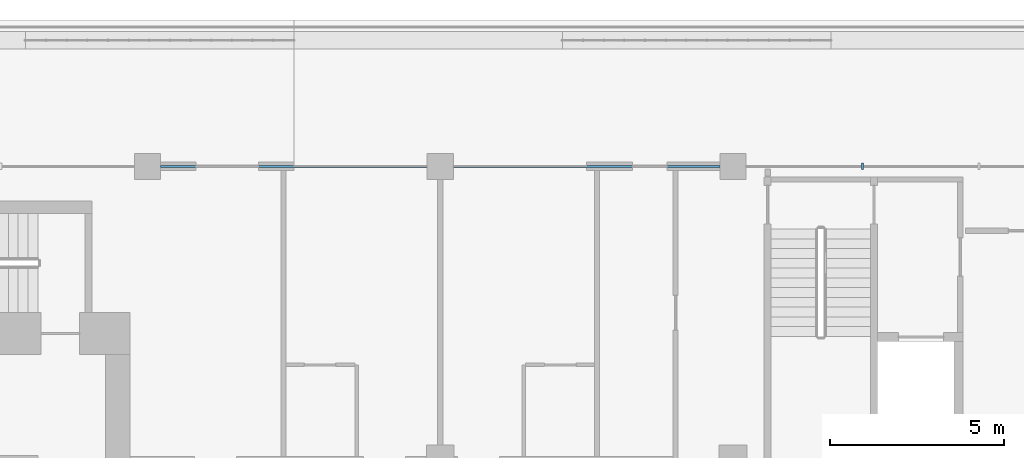
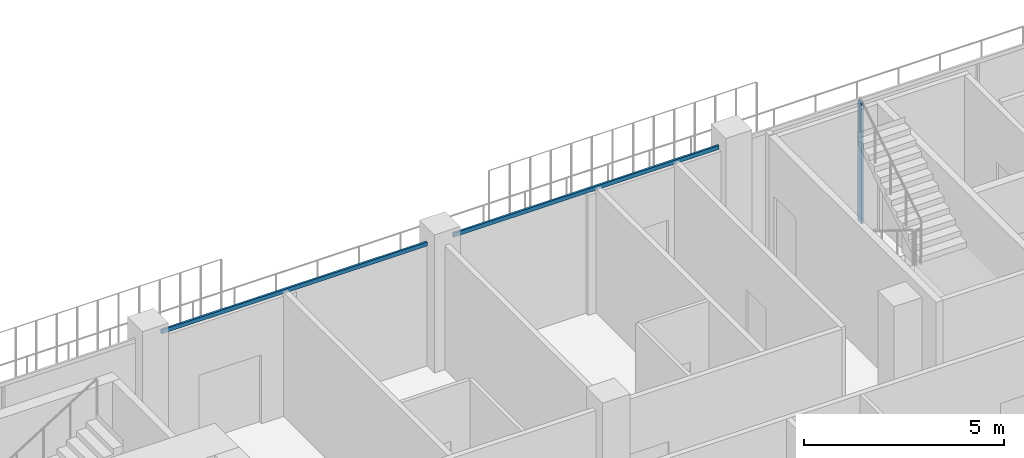
# One storey, part 6 of 20: 3 members, 1 element without a shape of its own.
"""IFC4 building model written with IfcOpenShell, lengths in metres."""

import ifcopenshell
import ifcopenshell.guid

model = None  # the IFC model being written
_history = None  # IfcOwnerHistory: only IFC2X3 demands one
_inside = {}  # id of a spatial element -> (the spatial element, [elements in it])
_under = {}  # id of a project, library or spatial element -> (it, [spatial elements below it])
_declared = {}  # id of a project -> (the project, [libraries it declares])
_typed = {}  # id of a type object -> (the type object, [elements of that type])
_made_of = {}  # id of a material, layer set ... -> (it, [elements and type objects made of it])


def new_model(schema):
    """Start an empty IFC model of exactly this schema.

    Asked for "IFC4X3", IfcOpenShell would pick the latest addendum, in which some entities
    have other attributes; the version numbers below select the first issue.
    IFC2X3 requires an IfcOwnerHistory on every rooted entity: one is made here for all.
    """
    global model, _history
    if schema == "IFC4X3":
        model = ifcopenshell.file(schema_version=(4, 3, 0, 0))
    else:
        model = ifcopenshell.file(schema=schema)
    _inside.clear()
    _under.clear()
    _declared.clear()
    _typed.clear()
    _made_of.clear()
    _history = None
    if model.schema == "IFC2X3":
        org = make("IfcOrganization", Name="unknown")
        user = make(
            "IfcPersonAndOrganization",
            ThePerson=make("IfcPerson", FamilyName="unknown"),
            TheOrganization=org,
        )
        app = make(
            "IfcApplication",
            ApplicationDeveloper=org,
            Version="unknown",
            ApplicationFullName="unknown",
            ApplicationIdentifier="unknown",
        )
        _history = make(
            "IfcOwnerHistory",
            OwningUser=user,
            OwningApplication=app,
            ChangeAction="ADDED",
            CreationDate=0,
        )
    return model


def make(cls, **values):
    """One entity of the class cls with the attributes given. An attribute that is None is left unset."""
    return model.create_entity(
        cls, **{name: value for name, value in values.items() if value is not None}
    )


def rooted(cls, **values):
    """An entity with a GlobalId (a new one), such as an element, a storey or a relation."""
    return make(cls, GlobalId=ifcopenshell.guid.new(), OwnerHistory=_history, **values)


def si_unit(unit_type, name, prefix=None):
    """IfcSIUnit, for example si_unit("LENGTHUNIT", "METRE", prefix="MILLI")."""
    return make("IfcSIUnit", UnitType=unit_type, Prefix=prefix, Name=name)


def assignment(units):
    """IfcUnitAssignment: the units of a project."""
    return None if units is None else make("IfcUnitAssignment", Units=units)


def point(xyz):
    """IfcCartesianPoint."""
    return None if xyz is None else make("IfcCartesianPoint", Coordinates=xyz)


def direction(xyz):
    """IfcDirection."""
    return None if xyz is None else make("IfcDirection", DirectionRatios=xyz)


def frame(location, z_axis=None, x_axis=None):
    """IfcAxis2Placement3D, a coordinate frame: its origin and axes. An axis left out is left unset."""
    return make(
        "IfcAxis2Placement3D",
        Location=point(location),
        Axis=direction(z_axis),
        RefDirection=direction(x_axis),
    )


def frame_2d(location, x_axis=None):
    """IfcAxis2Placement2D, a coordinate frame in the plane: its origin and x axis."""
    return make(
        "IfcAxis2Placement2D", Location=point(location), RefDirection=direction(x_axis)
    )


def origin():
    """The frame at (0, 0, 0) with its axes left unset."""
    return frame((0.0, 0.0, 0.0))


def origin_2d():
    """The frame at (0, 0) in the plane with its x axis left unset."""
    return frame_2d((0.0, 0.0))


def place(relative_to, where):
    """IfcLocalPlacement: puts the frame where relative to a parent placement (None: the world)."""
    return make(
        "IfcLocalPlacement", PlacementRelTo=relative_to, RelativePlacement=where
    )


def context(
    kind, dimensions, precision=None, world=None, true_north=None, identifier=None
):
    """IfcGeometricRepresentationContext, for example the 3D "Model" context."""
    return make(
        "IfcGeometricRepresentationContext",
        ContextIdentifier=identifier,
        ContextType=kind,
        CoordinateSpaceDimension=dimensions,
        Precision=precision,
        WorldCoordinateSystem=world,
        TrueNorth=true_north,
    )


def subcontext(parent, identifier, kind, view, scale=None):
    """IfcGeometricRepresentationSubContext, for example "Body" below "Model"."""
    return make(
        "IfcGeometricRepresentationSubContext",
        ContextIdentifier=identifier,
        ContextType=kind,
        ParentContext=parent,
        TargetScale=scale,
        TargetView=view,
    )


def project(units=None, contexts=None):
    """IfcProject with its units and contexts."""
    return rooted(
        "IfcProject",
        Name="project",
        RepresentationContexts=contexts,
        UnitsInContext=assignment(units),
    )


def spatial(cls, under=None, at=None, **own):
    """A site, building, storey or space (cls), placed at a placement, below another one or the project."""
    s = rooted(cls, ObjectPlacement=at, **own)
    if under is not None:
        _under.setdefault(under.id(), (under, []))[1].append(s)
    return s


def profile(cls, at=None, kind="AREA", **sizes):
    """A parametric profile (cls). Its sizes go by their IFC names, for example OverallWidth=200.0."""
    return make(cls, ProfileType=kind, Position=at, **sizes)


def rectangle(**sizes):
    """IfcRectangleProfileDef."""
    return profile("IfcRectangleProfileDef", **sizes)


def extrude(swept, where, along, depth):
    """IfcExtrudedAreaSolid: the profile swept, set in the frame where, extruded along a direction by depth."""
    return make(
        "IfcExtrudedAreaSolid",
        SweptArea=swept,
        Position=where,
        ExtrudedDirection=direction(along),
        Depth=depth,
    )


def shape(context_of_items, identifier, shape_type, items):
    """IfcShapeRepresentation: the items that make up one representation, for example the "Body"."""
    return make(
        "IfcShapeRepresentation",
        ContextOfItems=context_of_items,
        RepresentationIdentifier=identifier,
        RepresentationType=shape_type,
        Items=items,
    )


def material(Name=None, Category=None):
    """IfcMaterial."""
    return make("IfcMaterial", Name=Name, Category=Category)


def layer(
    of_material, thickness, ventilated=None, Name=None, Category=None, Priority=None
):
    """IfcMaterialLayer: one layer of a wall or slab, of a material (None: an air gap)."""
    return make(
        "IfcMaterialLayer",
        Material=of_material,
        LayerThickness=thickness,
        IsVentilated=ventilated,
        Name=Name,
        Category=Category,
        Priority=Priority,
    )


def layer_set(layers, Name=None):
    """IfcMaterialLayerSet."""
    return make("IfcMaterialLayerSet", MaterialLayers=layers, LayerSetName=Name)


def material_profile(
    of_material, cross_section, Name=None, Category=None, Priority=None
):
    """IfcMaterialProfile: a cross section and its material."""
    return make(
        "IfcMaterialProfile",
        Name=Name,
        Material=of_material,
        Profile=cross_section,
        Priority=Priority,
        Category=Category,
    )


def profile_set(profiles, Name=None, composite=None):
    """IfcMaterialProfileSet."""
    return make(
        "IfcMaterialProfileSet",
        Name=Name,
        MaterialProfiles=profiles,
        CompositeProfile=composite,
    )


def made_of(thing, what):
    """Note that an element or type object is made of a material, layer set ...; save() writes the relation."""
    if what is not None:
        _made_of.setdefault(what.id(), (what, []))[1].append(thing)
    return thing


def type_object(cls, material=None, **own):
    """A type object (cls), such as IfcWallType, which elements share."""
    return made_of(rooted(cls, **own), material)


def element(
    cls,
    number,
    at=None,
    inside=None,
    cuts=None,
    type_object=None,
    material=None,
    context=None,
    identifier="Body",
    shape_type=None,
    held_by="IfcProductDefinitionShape",
    body=None,
    shapes=None,
    **own,
):
    """One element of the class cls, such as IfcWall. Its Tag is "e" and its number.

    at: its placement. inside: the storey or other place that contains it. cuts: it is an
    opening in that element (IfcRelVoidsElement). A single representation is given by context,
    identifier, shape_type and body (its items); several are given by shapes. held_by: the class
    of the entity that holds the representations. save() writes the other relations.
    """
    e = rooted(cls, Tag="e%d" % number, ObjectPlacement=at, **own)
    if body is not None:
        shapes = [shape(context, identifier, shape_type, body)]
    if shapes is not None:
        e.Representation = make(held_by, Representations=shapes)
    if inside is not None:
        _inside.setdefault(inside.id(), (inside, []))[1].append(e)
    if cuts is not None:
        rooted(
            "IfcRelVoidsElement", RelatingBuildingElement=cuts, RelatedOpeningElement=e
        )
    if type_object is not None:
        _typed.setdefault(type_object.id(), (type_object, []))[1].append(e)
    return made_of(e, material)


def aggregate(whole, parts):
    """IfcRelAggregates: a whole, such as a stair, and the parts it consists of."""
    return rooted("IfcRelAggregates", RelatingObject=whole, RelatedObjects=parts)


def save(model, path):
    """Write the relations noted so far, then the file.

    IfcRelAggregates (storeys below a building ...), IfcRelContainedInSpatialStructure (elements
    in a storey), IfcRelDefinesByType, IfcRelAssociatesMaterial and IfcRelDeclares: one each for
    every whole, place, type object, material and project.
    """
    for whole, parts in _under.values():
        aggregate(whole, parts)
    for where, things in _inside.values():
        rooted(
            "IfcRelContainedInSpatialStructure",
            RelatedElements=things,
            RelatingStructure=where,
        )
    for kind, things in _typed.values():
        rooted("IfcRelDefinesByType", RelatedObjects=things, RelatingType=kind)
    for what, things in _made_of.values():
        rooted("IfcRelAssociatesMaterial", RelatedObjects=things, RelatingMaterial=what)
    for by, libraries in _declared.values():
        rooted("IfcRelDeclares", RelatingContext=by, RelatedDefinitions=libraries)
    model.write(path)


model = new_model("IFC4")

# Units and contexts
model_context = context("Model", 3, precision=1e-05, world=origin(), true_north=direction((0.0, 1.0)))
body_context = subcontext(model_context, "Body", "Model", "MODEL_VIEW")
ifc_project = project(units=[si_unit("LENGTHUNIT", "METRE"), si_unit("AREAUNIT", "SQUARE_METRE"), si_unit("VOLUMEUNIT", "CUBIC_METRE"), si_unit("PLANEANGLEUNIT", "RADIAN"), si_unit("MASSUNIT", "GRAM", prefix="KILO")], contexts=[model_context])

# Site, building, storey
site_placement = place(None, origin())
site = spatial("IfcSite", under=ifc_project, at=site_placement, CompositionType="ELEMENT")
building_placement = place(site_placement, origin())
building = spatial("IfcBuilding", under=site, at=building_placement, Name="Kawkab Arch Medical Tower", CompositionType="ELEMENT")
storey_placement = place(building_placement, frame((0.0, 0.0, 328.0)))
storey = spatial("IfcBuildingStorey", under=building, at=storey_placement, Name="L76", CompositionType="ELEMENT", Elevation=328.0)

# Curtain wall, members
ifc_material_1 = material(Name="Bronze anodised aluminium curtain wall frame", Category="aluminium")
ifc_layer = layer(ifc_material_1, 0.159912109375)
ifc_layer_set = layer_set([ifc_layer], Name="Bronze anodised aluminium curtain wall frame")
curtain_wall_type = type_object("IfcCurtainWallType", Name="CW1 ward curtain wall", PredefinedType="NOTDEFINED", material=ifc_layer_set)
curtain_wall_placement = place(storey_placement, origin())
curtain_wall = element("IfcCurtainWall", 1, at=curtain_wall_placement, inside=storey, type_object=curtain_wall_type, Name="CW1 Ward curtain wall R15", PredefinedType="NOTDEFINED")
ifc_material_2 = material(Name="Bronze anodised aluminium curtain wall frame", Category="aluminium")
ifc_material_profile_1 = material_profile(ifc_material_2, rectangle(XDim=0.179931640625, YDim=0.06005859375, at=origin_2d()), Name="AL 60x180")
ifc_profile_set_1 = profile_set([ifc_material_profile_1], Name="Bronze anodised aluminium curtain wall frame")
member_type_1 = type_object("IfcMemberType", Name="CW1 mullion 60 x 180", PredefinedType="MULLION", material=ifc_profile_set_1)
member_1_placement = place(storey_placement, frame((45.716552734375, 0.0, 0.0), z_axis=(0.0, 0.0, 1.0), x_axis=(0.0, -1.0, 0.0)))
member_1 = element("IfcMember", 2, at=member_1_placement, type_object=member_type_1, Name="CW1 mullion 1.2", PredefinedType="MULLION", context=body_context, shape_type="SweptSolid", body=[
    extrude(rectangle(XDim=0.179931640625, YDim=0.06005859375, at=origin_2d()), origin(), (0.0, 0.0, 1.0), 3.659912109375),
])
ifc_material_3 = material(Name="Bronze anodised aluminium curtain wall frame", Category="aluminium")
ifc_material_profile_2 = material_profile(ifc_material_3, rectangle(XDim=0.06005859375, YDim=0.1201171875, at=origin_2d()), Name="AL 60x120")
ifc_profile_set_2 = profile_set([ifc_material_profile_2], Name="Bronze anodised aluminium curtain wall frame")
member_type_2 = type_object("IfcMemberType", Name="CW1 transom 120 x 60", PredefinedType="USERDEFINED", material=ifc_profile_set_2)
member_2_placement = place(storey_placement, frame((41.625, 0.0, 3.719970703125), z_axis=(-1.0, 0.0, 0.0), x_axis=(0.0, -1.0, 0.0)))
member_2 = element("IfcMember", 3, at=member_2_placement, type_object=member_type_2, Name="CW1 transom 2", ObjectType="TRANSOM", PredefinedType="USERDEFINED", context=body_context, shape_type="SweptSolid", body=[
    extrude(rectangle(XDim=0.06005859375, YDim=0.1201171875, at=origin_2d()), origin(), (0.0, 0.0, 1.0), 7.64990234375),
])
member_3_placement = place(storey_placement, frame((33.22509765625, 0.0, 3.719970703125), z_axis=(-1.0, 0.0, 0.0), x_axis=(0.0, -1.0, 0.0)))
member_3 = element("IfcMember", 4, at=member_3_placement, type_object=member_type_2, Name="CW1 transom 3", ObjectType="TRANSOM", PredefinedType="USERDEFINED", context=body_context, shape_type="SweptSolid", body=[
    extrude(rectangle(XDim=0.06005859375, YDim=0.1201171875, at=origin_2d()), origin(), (0.0, 0.0, 1.0), 7.650146484375),
])
aggregate(curtain_wall, [member_1, member_2, member_3])

save(model, "model.ifc")
